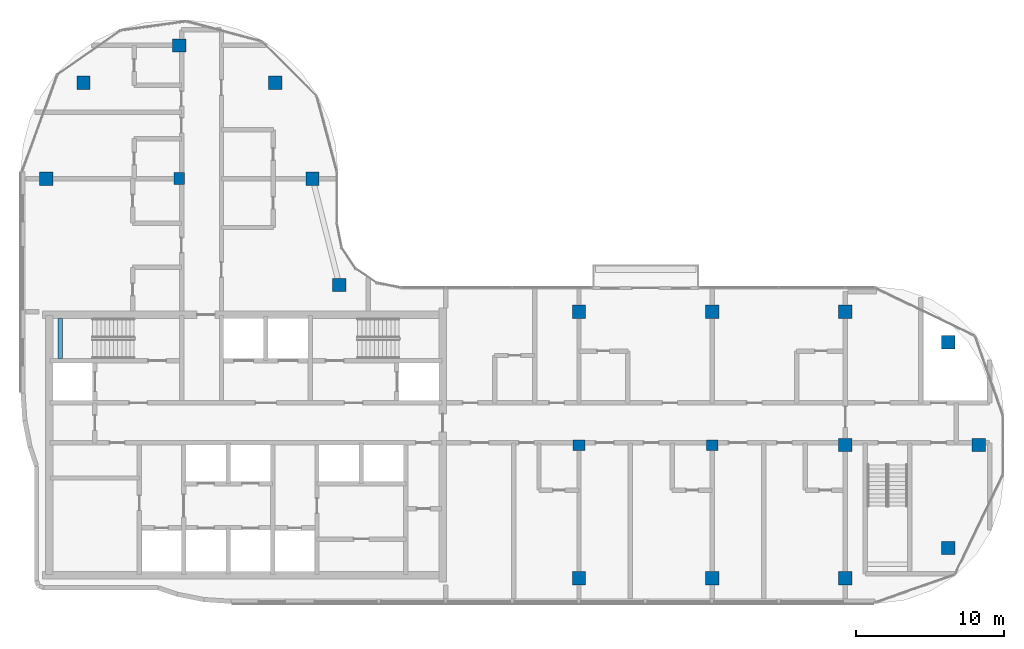
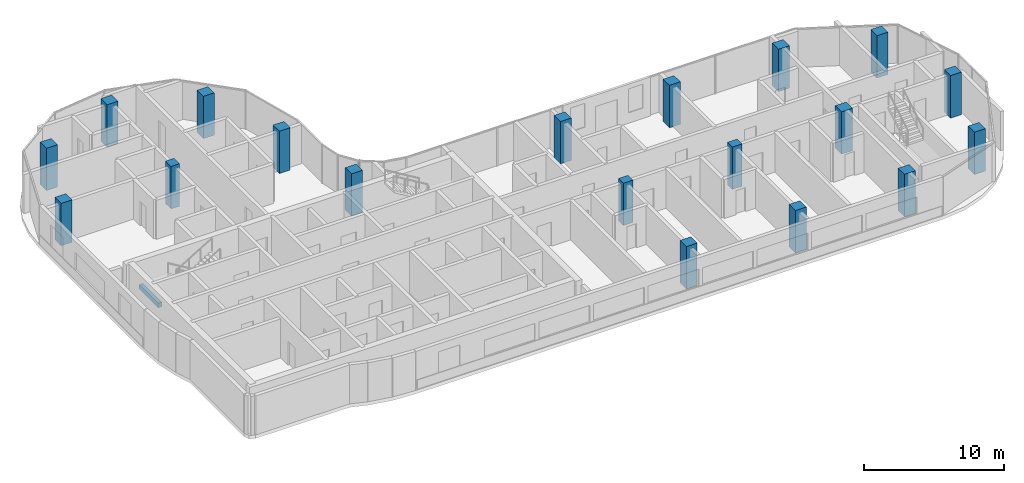
# One storey, part 1 of 19: 19 columns, 1 beam.
"""IFC4 building model written with IfcOpenShell, lengths in metres."""

from ifc_helpers import new_model, si_unit, direction, frame, origin, origin_2d, place, context, subcontext, project, spatial, rectangle, extrude, material, material_profile, profile_set, type_object, element, save


model = new_model("IFC4")

# Units and contexts
model_context = context("Model", 3, precision=1e-05, world=origin(), true_north=direction((0.0, 1.0)))
body_context = subcontext(model_context, "Body", "Model", "MODEL_VIEW")
ifc_project = project(units=[si_unit("LENGTHUNIT", "METRE"), si_unit("AREAUNIT", "SQUARE_METRE"), si_unit("VOLUMEUNIT", "CUBIC_METRE"), si_unit("PLANEANGLEUNIT", "RADIAN"), si_unit("MASSUNIT", "GRAM", prefix="KILO")], contexts=[model_context])

# Site, building, storey
site_placement = place(None, origin())
site = spatial("IfcSite", under=ifc_project, at=site_placement, CompositionType="ELEMENT")
building_placement = place(site_placement, origin())
building = spatial("IfcBuilding", under=site, at=building_placement, Name="Ogive Portal Towers", CompositionType="ELEMENT")
storey_placement = place(building_placement, frame((0.0, 0.0, 199.5)))
storey = spatial("IfcBuildingStorey", under=building, at=storey_placement, Name="L49", CompositionType="ELEMENT", Elevation=199.5)

# Columns
ifc_material_1 = material(Name="Concrete C60/75", Category="concrete")
ifc_material_profile_1 = material_profile(ifc_material_1, rectangle(XDim=0.800048828125, YDim=0.699951171875, at=origin_2d()), Name="RC 800x700")
ifc_profile_set_1 = profile_set([ifc_material_profile_1], Name="Concrete C60/75")
column_type_1 = type_object("IfcColumnType", Name="COLUMN RC 800x700", PredefinedType="COLUMN", material=ifc_profile_set_1)
for number, where, z_axis, x_axis, name in (
    (1, (67.5, 30.5, 0.0), (0.0, 0.0, 1.0), (1.0, 0.0, 0.0), "Column 5/B L49"),
    (2, (76.5, 30.5, 0.0), (0.0, 0.0, 1.0), (1.0, 0.0, 0.0), "Column 6/B L49"),
    (3, (40.5, 48.5, 0.0), (0.0, 0.0, 1.0), (0.0, 1.0, 0.0), "Column 2/D L49"),
):
    element("IfcColumn", number, at=place(storey_placement, frame(where, z_axis=z_axis, x_axis=x_axis)), inside=storey, type_object=column_type_1, Name=name, PredefinedType="COLUMN", context=body_context, shape_type="SweptSolid", body=[
        extrude(rectangle(XDim=0.800048828125, YDim=0.699951171875, at=origin_2d()), origin(), (0.0, 0.0, 1.0), 3.699951171875),
    ])
ifc_material_profile_2 = material_profile(ifc_material_1, rectangle(XDim=0.89990234375, YDim=0.89990234375, at=origin_2d()), Name="RC 900x900")
ifc_profile_set_2 = profile_set([ifc_material_profile_2], Name="Concrete C60/75")
column_type_2 = type_object("IfcColumnType", Name="COLUMN RC 900x900", PredefinedType="COLUMN", material=ifc_profile_set_2)
for number, where, z_axis, x_axis, name in (
    (4, (67.5, 21.5, 0.0), (0.0, 0.0, 1.0), (1.0, 0.0, 0.0), "Column 5/A L49"),
    (5, (76.5, 21.5, 0.0), (0.0, 0.0, 1.0), (1.0, 0.0, 0.0), "Column 6/A L49"),
    (6, (85.5, 21.5, 0.0), (0.0, 0.0, 1.0), (1.0, 0.0, 0.0), "Column 7/A L49"),
    (7, (92.449951171875, 23.550048828125, 0.0), (0.0, 0.0, 1.0), (1.0, 0.0, 0.0), "Column L49"),
    (8, (85.5, 30.5, 0.0), (0.0, 0.0, 1.0), (1.0, 0.0, 0.0), "Column 7/B L49"),
    (9, (94.5, 30.5, 0.0), (0.0, 0.0, 1.0), (1.0, 0.0, 0.0), "Column 8/B L49"),
    (10, (92.449951171875, 37.449951171875, 0.0), (0.0, 0.0, 1.0), (1.0, 0.0, 0.0), "Column L49"),
    (11, (67.5, 39.5, 0.0), (0.0, 0.0, 1.0), (1.0, 0.0, 0.0), "Column 5/C L49"),
    (12, (76.5, 39.5, 0.0), (0.0, 0.0, 1.0), (1.0, 0.0, 0.0), "Column 6/C L49"),
    (13, (85.5, 39.5, 0.0), (0.0, 0.0, 1.0), (1.0, 0.0, 0.0), "Column 7/C L49"),
    (14, (51.31005859375, 41.31005859375, 0.0), (0.0, 0.0, 1.0), (1.0, 0.0, 0.0), "Column L49"),
    (15, (31.5, 48.5, 0.0), (0.0, 0.0, 1.0), (1.0, 0.0, 0.0), "Column 1/D L49"),
    (16, (49.5, 48.5, 0.0), (0.0, 0.0, 1.0), (1.0, 0.0, 0.0), "Column 3/D L49"),
    (17, (34.027099609375, 54.972900390625, 0.0), (0.0, 0.0, 1.0), (1.0, 0.0, 0.0), "Column L49"),
    (18, (46.972900390625, 54.972900390625, 0.0), (0.0, 0.0, 1.0), (1.0, 0.0, 0.0), "Column L49"),
    (19, (40.5, 57.5, 0.0), (0.0, 0.0, 1.0), (1.0, 0.0, 0.0), "Column 2/E L49"),
):
    element("IfcColumn", number, at=place(storey_placement, frame(where, z_axis=z_axis, x_axis=x_axis)), inside=storey, type_object=column_type_2, Name=name, PredefinedType="COLUMN", context=body_context, shape_type="SweptSolid", body=[
        extrude(rectangle(XDim=0.89990234375, YDim=0.89990234375, at=origin_2d()), origin(), (0.0, 0.0, 1.0), 3.699951171875),
    ])

# Beam
ifc_material_2 = material(Name="Concrete C40/50", Category="concrete")
ifc_material_profile_3 = material_profile(ifc_material_2, rectangle(XDim=0.300048828125, YDim=0.39990234375, at=origin_2d()), Name="RC 300x400")
ifc_profile_set_3 = profile_set([ifc_material_profile_3], Name="Concrete C40/50")
beam_type = type_object("IfcBeamType", Name="BEAM RC 300x400", PredefinedType="BEAM", material=ifc_profile_set_3)
beam_placement = place(storey_placement, frame((32.449951171875, 36.35009765625, 1.449951171875), z_axis=(0.0, 1.0, 0.0), x_axis=(-1.0, 0.0, 0.0)))
element("IfcBeam", 20, at=beam_placement, inside=storey, type_object=beam_type, Name="Landing beam L49", PredefinedType="BEAM", context=body_context, shape_type="SweptSolid", body=[
    extrude(rectangle(XDim=0.300048828125, YDim=0.39990234375, at=origin_2d()), origin(), (0.0, 0.0, 1.0), 2.699951171875),
])

save(model, "model.ifc")
